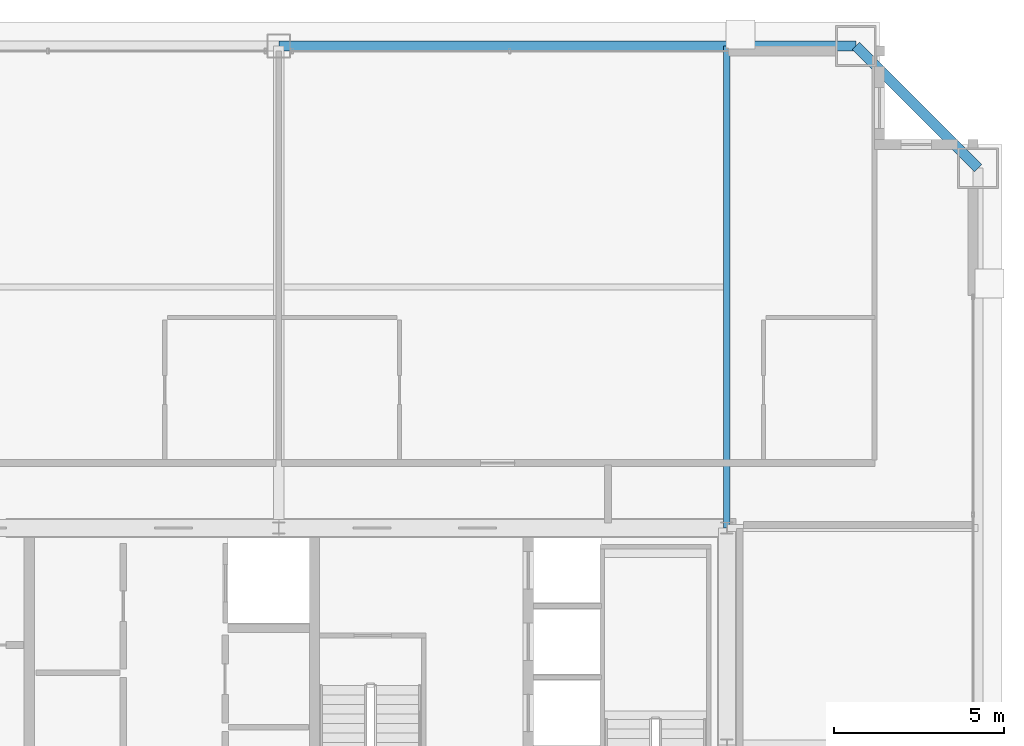
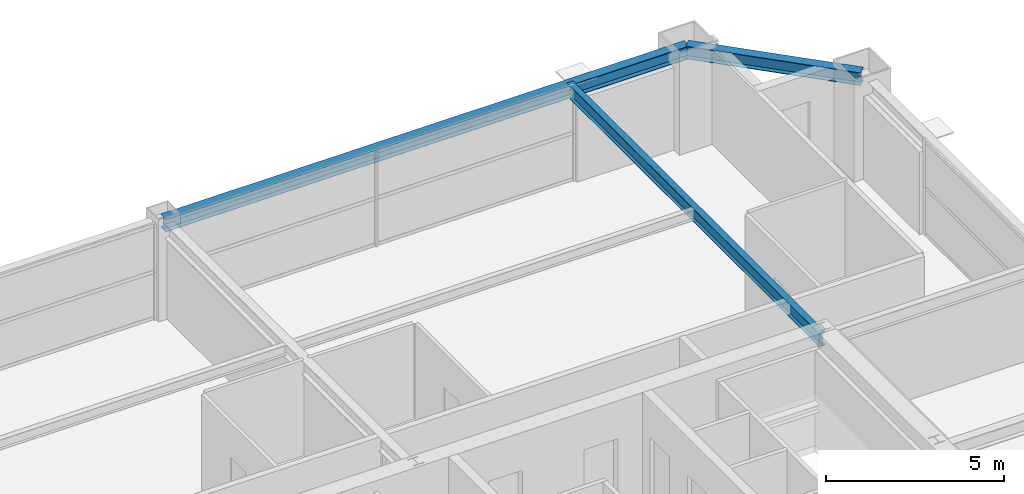
# One storey, part 30 of 37: 3 beams.
"""IFC4 building model written with IfcOpenShell, lengths in metres."""

from ifc_helpers import new_model, si_unit, direction, frame, origin, origin_2d, place, context, subcontext, project, spatial, i_section, extrude, source, transform, mapped, material, material_profile, profile_set, type_object, element, save


model = new_model("IFC4")

# Units and contexts
model_context = context("Model", 3, precision=1e-05, world=origin(), true_north=direction((0.0, 1.0)))
body_context = subcontext(model_context, "Body", "Model", "MODEL_VIEW")
ifc_project = project(units=[si_unit("LENGTHUNIT", "METRE"), si_unit("AREAUNIT", "SQUARE_METRE"), si_unit("VOLUMEUNIT", "CUBIC_METRE"), si_unit("PLANEANGLEUNIT", "RADIAN"), si_unit("MASSUNIT", "GRAM", prefix="KILO"), si_unit("THERMODYNAMICTEMPERATUREUNIT", "KELVIN"), si_unit("POWERUNIT", "WATT")], contexts=[model_context])

# Site, building, storey
site_placement = place(None, origin())
site = spatial("IfcSite", under=ifc_project, at=site_placement, CompositionType="ELEMENT")
building_placement = place(site_placement, origin())
building = spatial("IfcBuilding", under=site, at=building_placement, Name="Yuzanri Waterfront Tower", CompositionType="ELEMENT")
storey_placement = place(building_placement, frame((0.0, 0.0, 275.10009765625)))
storey = spatial("IfcBuildingStorey", under=building, at=storey_placement, Name="L73", CompositionType="ELEMENT", Elevation=275.10009765625)

# Beams
ifc_material_1 = material(Name="Steel Q355B", Category="steel")
ifc_material_profile_1 = material_profile(ifc_material_1, i_section(OverallWidth=0.300048828125, OverallDepth=0.43994140625, WebThickness=0.010986328125, FlangeThickness=0.01806640625, at=origin_2d()), Name="HM 440x300x11x18")
ifc_profile_set_1 = profile_set([ifc_material_profile_1], Name="Steel Q355B")
beam_type_1 = type_object("IfcBeamType", Name="Perimeter Spandrel Q355B HM 440x300", PredefinedType="SPANDREL", material=ifc_profile_set_1)
shared_shape_1 = source(origin(), body_context, "Body", "SweptSolid", [
    extrude(i_section(OverallWidth=0.300048828125, OverallDepth=0.43994140625, WebThickness=0.010986328125, FlangeThickness=0.01806640625, at=origin_2d()), origin(), (0.0, 0.0, 1.0), 5.091064453125),
])
beam_1_placement = place(storey_placement, frame((57.60009765625, 42.800048828125, 3.059814453125), z_axis=(-0.707130757816, 0.707082803744, 0.0), x_axis=(-0.707082803744, -0.707130757816, 0.0)))
element("IfcBeam", 1, at=beam_1_placement, inside=storey, type_object=beam_type_1, Name="L73 Perimeter Spandrel E3-N3", PredefinedType="SPANDREL", context=body_context, shape_type="MappedRepresentation", body=[
    mapped(shared_shape_1, transform((0.0, 0.0, 0.0), scale=1.0)),
])
shared_shape_2 = source(origin(), body_context, "Body", "SweptSolid", [
    extrude(i_section(OverallWidth=0.300048828125, OverallDepth=0.43994140625, WebThickness=0.010986328125, FlangeThickness=0.01806640625, at=origin_2d()), origin(), (0.0, 0.0, 1.0), 17.0),
])
beam_2_placement = place(storey_placement, frame((54.0, 46.39990234375, 3.059814453125), z_axis=(-1.0, 0.0, 0.0), x_axis=(0.0, -1.0, 0.0)))
element("IfcBeam", 2, at=beam_2_placement, inside=storey, type_object=beam_type_1, Name="L73 Perimeter Spandrel N3-N2", PredefinedType="SPANDREL", context=body_context, shape_type="MappedRepresentation", body=[
    mapped(shared_shape_2, transform((0.0, 0.0, 0.0), scale=1.0)),
])
ifc_material_2 = material(Name="Steel Q355B", Category="steel")
ifc_material_profile_2 = material_profile(ifc_material_2, i_section(OverallWidth=0.199951171875, OverallDepth=0.449951171875, WebThickness=0.009033203125, FlangeThickness=0.013916015625, at=origin_2d()), Name="HN 450x200x9x14")
ifc_profile_set_2 = profile_set([ifc_material_profile_2], Name="Steel Q355B")
beam_type_2 = type_object("IfcBeamType", Name="Secondary Floor Beam Q355B HN 450x200", PredefinedType="BEAM", material=ifc_profile_set_2)
shared_shape_3 = source(origin(), body_context, "Body", "SweptSolid", [
    extrude(i_section(OverallWidth=0.199951171875, OverallDepth=0.449951171875, WebThickness=0.009033203125, FlangeThickness=0.013916015625, at=origin_2d()), origin(), (0.0, 0.0, 1.0), 14.199951171875),
])
beam_3_placement = place(storey_placement, frame((50.199951171875, 32.199951171875, 3.054931640625), z_axis=(0.0, 1.0, 0.0), x_axis=(-1.0, 0.0, 0.0)))
element("IfcBeam", 3, at=beam_3_placement, inside=storey, type_object=beam_type_2, Name="L73 North-East Core Line Beam", PredefinedType="BEAM", context=body_context, shape_type="MappedRepresentation", body=[
    mapped(shared_shape_3, transform((0.0, 0.0, 0.0), scale=1.0)),
])

save(model, "model.ifc")
